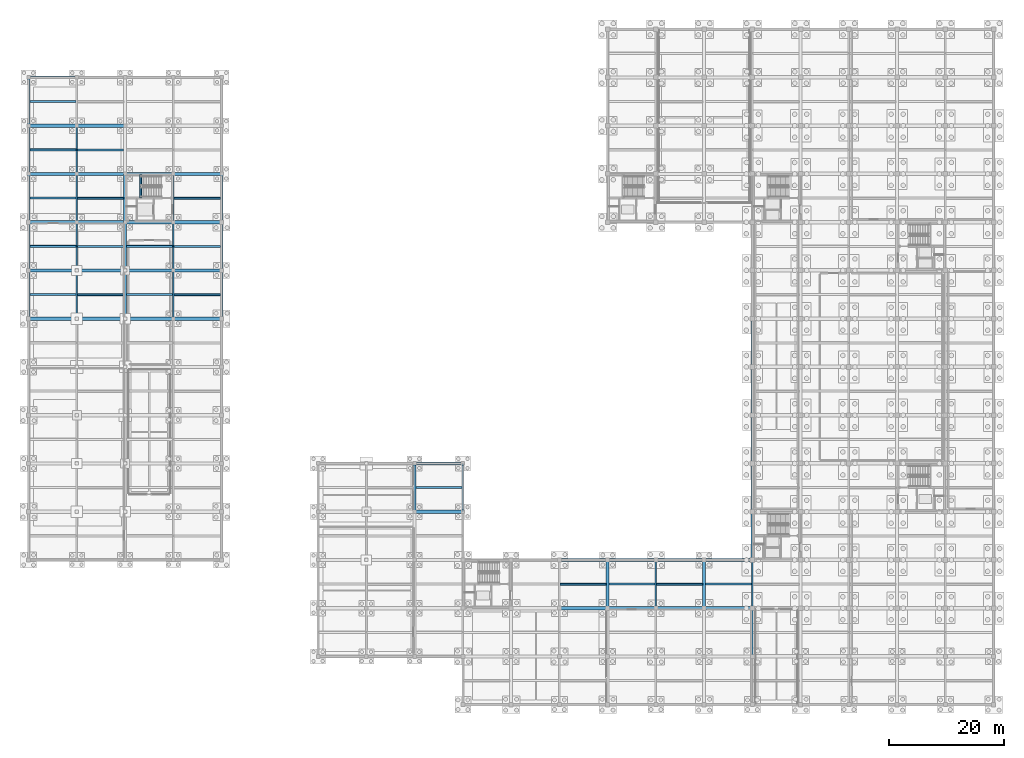
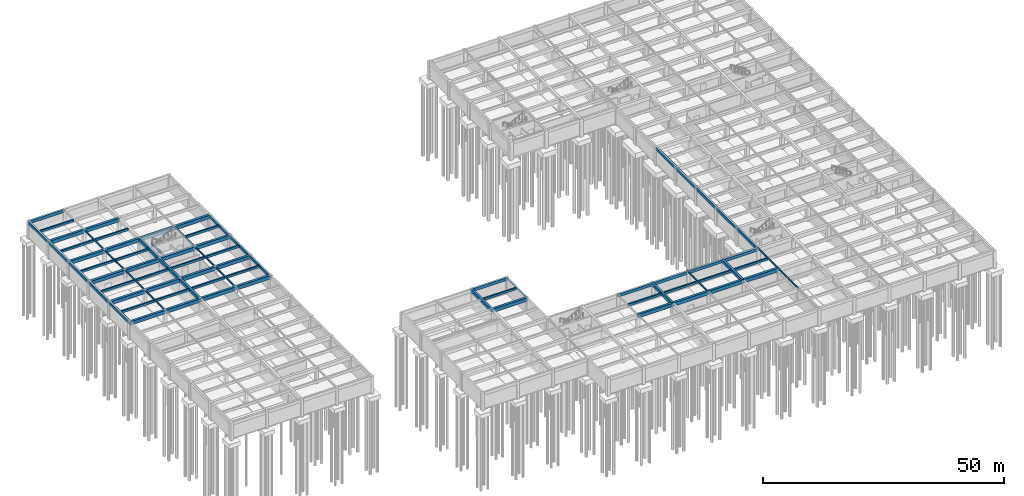
# One storey, part 10 of 33: 79 beams.
"""IFC4 building model written with IfcOpenShell, lengths in metres."""

from ifc_helpers import new_model, si_unit, direction, frame, origin, origin_2d, place, context, subcontext, project, spatial, rectangle, i_section, extrude, material, material_profile, profile_set, type_object, element, save


model = new_model("IFC4")

# Units and contexts
model_context = context("Model", 3, precision=1e-05, world=origin(), true_north=direction((0.0, 1.0)))
body_context = subcontext(model_context, "Body", "Model", "MODEL_VIEW")
ifc_project = project(units=[si_unit("LENGTHUNIT", "METRE"), si_unit("AREAUNIT", "SQUARE_METRE"), si_unit("VOLUMEUNIT", "CUBIC_METRE"), si_unit("PLANEANGLEUNIT", "RADIAN"), si_unit("MASSUNIT", "GRAM", prefix="KILO")], contexts=[model_context])

# Site, building, storey
site_placement = place(None, origin())
site = spatial("IfcSite", under=ifc_project, at=site_placement, CompositionType="ELEMENT")
building_placement = place(site_placement, origin())
building = spatial("IfcBuilding", under=site, at=building_placement, Name="Kveldsbrygga Polytechnic", CompositionType="ELEMENT")
storey_placement = place(building_placement, frame((0.0, 0.0, -4.419921875)))
storey = spatial("IfcBuildingStorey", under=building, at=storey_placement, Name="B1", CompositionType="ELEMENT", Elevation=-4.419921875)

# Beams
ifc_material_1 = material(Name="Concrete C35/45", Category="concrete")
ifc_material_profile_1 = material_profile(ifc_material_1, rectangle(XDim=0.449951171875, YDim=0.75, at=origin_2d()), Name="RC 450x750")
ifc_profile_set_1 = profile_set([ifc_material_profile_1], Name="Concrete C35/45")
beam_type_1 = type_object("IfcBeamType", Name="BM-RC-450x750", PredefinedType="BEAM", material=ifc_profile_set_1)
beam_1_placement = place(storey_placement, frame((92.39990234375, 25.199951171875, 3.724853515625), z_axis=(1.0, 0.0, 0.0), x_axis=(0.0, 1.0, 0.0)))
element("IfcBeam", 1, at=beam_1_placement, inside=storey, type_object=beam_type_1, Name="Primary Beam BMX-B1-11to12-03", PredefinedType="BEAM", context=body_context, shape_type="SweptSolid", body=[
    extrude(rectangle(XDim=0.449951171875, YDim=0.75, at=origin_2d()), origin(), (0.0, 0.0, 1.0), 8.400146484375),
])
beam_2_placement = place(storey_placement, frame((100.800048828125, 25.199951171875, 3.724853515625), z_axis=(1.0, 0.0, 0.0), x_axis=(0.0, 1.0, 0.0)))
element("IfcBeam", 2, at=beam_2_placement, inside=storey, type_object=beam_type_1, Name="Primary Beam BMX-B1-12to13-03", PredefinedType="BEAM", context=body_context, shape_type="SweptSolid", body=[
    extrude(rectangle(XDim=0.449951171875, YDim=0.75, at=origin_2d()), origin(), (0.0, 0.0, 1.0), 8.39990234375),
])
beam_3_placement = place(storey_placement, frame((109.199951171875, 25.199951171875, 3.724853515625), z_axis=(1.0, 0.0, 0.0), x_axis=(0.0, 1.0, 0.0)))
element("IfcBeam", 3, at=beam_3_placement, inside=storey, type_object=beam_type_1, Name="Primary Beam BMX-B1-13to14-03", PredefinedType="BEAM", context=body_context, shape_type="SweptSolid", body=[
    extrude(rectangle(XDim=0.449951171875, YDim=0.75, at=origin_2d()), origin(), (0.0, 0.0, 1.0), 8.400146484375),
])
beam_4_placement = place(storey_placement, frame((117.60009765625, 25.199951171875, 3.724853515625), z_axis=(1.0, 0.0, 0.0), x_axis=(0.0, 1.0, 0.0)))
element("IfcBeam", 4, at=beam_4_placement, inside=storey, type_object=beam_type_1, Name="Primary Beam BMX-B1-14to15-03", PredefinedType="BEAM", context=body_context, shape_type="SweptSolid", body=[
    extrude(rectangle(XDim=0.449951171875, YDim=0.75, at=origin_2d()), origin(), (0.0, 0.0, 1.0), 8.39990234375),
])
beam_5_placement = place(storey_placement, frame((67.199951171875, 42.0, 3.724853515625), z_axis=(1.0, 0.0, 0.0), x_axis=(0.0, 1.0, 0.0)))
element("IfcBeam", 5, at=beam_5_placement, inside=storey, type_object=beam_type_1, Name="Primary Beam BMX-B1-08to09-05", PredefinedType="BEAM", context=body_context, shape_type="SweptSolid", body=[
    extrude(rectangle(XDim=0.449951171875, YDim=0.75, at=origin_2d()), origin(), (0.0, 0.0, 1.0), 8.400146484375),
])
beam_6_placement = place(storey_placement, frame((0.0, 109.199951171875, 3.704833984375), z_axis=(1.0, 0.0, 0.0), x_axis=(0.0, 1.0, 0.0)))
element("IfcBeam", 6, at=beam_6_placement, inside=storey, type_object=beam_type_1, Name="Primary Beam BMX-B1-00to01-13", PredefinedType="BEAM", context=body_context, shape_type="SweptSolid", body=[
    extrude(rectangle(XDim=0.449951171875, YDim=0.75, at=origin_2d()), origin(), (0.0, 0.0, 1.0), 8.39990234375),
])
beam_7_placement = place(storey_placement, frame((0.0, 67.199951171875, 3.704833984375), z_axis=(0.0, 1.0, 0.0), x_axis=(-1.0, 0.0, 0.0)))
element("IfcBeam", 7, at=beam_7_placement, inside=storey, type_object=beam_type_1, Name="Primary Beam BMY-B1-00-08to09", PredefinedType="BEAM", context=body_context, shape_type="SweptSolid", body=[
    extrude(rectangle(XDim=0.449951171875, YDim=0.75, at=origin_2d()), origin(), (0.0, 0.0, 1.0), 8.400146484375),
])
for number, where, z_axis, x_axis, name in (
    (8, (0.0, 75.60009765625, 3.704833984375), (0.0, 1.0, 0.0), (-1.0, 0.0, 0.0), "Primary Beam BMY-B1-00-09to10"),
    (9, (0.0, 84.0, 3.704833984375), (0.0, 1.0, 0.0), (-1.0, 0.0, 0.0), "Primary Beam BMY-B1-00-10to11"),
):
    element("IfcBeam", number, at=place(storey_placement, frame(where, z_axis=z_axis, x_axis=x_axis)), inside=storey, type_object=beam_type_1, Name=name, PredefinedType="BEAM", context=body_context, shape_type="SweptSolid", body=[
        extrude(rectangle(XDim=0.449951171875, YDim=0.75, at=origin_2d()), origin(), (0.0, 0.0, 1.0), 8.39990234375),
    ])
beam_8_placement = place(storey_placement, frame((0.0, 92.39990234375, 3.704833984375), z_axis=(0.0, 1.0, 0.0), x_axis=(-1.0, 0.0, 0.0)))
element("IfcBeam", 10, at=beam_8_placement, inside=storey, type_object=beam_type_1, Name="Primary Beam BMY-B1-00-11to12", PredefinedType="BEAM", context=body_context, shape_type="SweptSolid", body=[
    extrude(rectangle(XDim=0.449951171875, YDim=0.75, at=origin_2d()), origin(), (0.0, 0.0, 1.0), 8.400146484375),
])
beam_9_placement = place(storey_placement, frame((0.0, 100.800048828125, 3.704833984375), z_axis=(0.0, 1.0, 0.0), x_axis=(-1.0, 0.0, 0.0)))
element("IfcBeam", 11, at=beam_9_placement, inside=storey, type_object=beam_type_1, Name="Primary Beam BMY-B1-00-12to13", PredefinedType="BEAM", context=body_context, shape_type="SweptSolid", body=[
    extrude(rectangle(XDim=0.449951171875, YDim=0.75, at=origin_2d()), origin(), (0.0, 0.0, 1.0), 8.39990234375),
])
beam_10_placement = place(storey_placement, frame((33.60009765625, 67.199951171875, 3.704833984375), z_axis=(0.0, 1.0, 0.0), x_axis=(-1.0, 0.0, 0.0)))
element("IfcBeam", 12, at=beam_10_placement, inside=storey, type_object=beam_type_1, Name="Primary Beam BMY-B1-04-08to09", PredefinedType="BEAM", context=body_context, shape_type="SweptSolid", body=[
    extrude(rectangle(XDim=0.449951171875, YDim=0.75, at=origin_2d()), origin(), (0.0, 0.0, 1.0), 8.400146484375),
])
for number, where, z_axis, x_axis, name in (
    (13, (33.60009765625, 75.60009765625, 3.704833984375), (0.0, 1.0, 0.0), (-1.0, 0.0, 0.0), "Primary Beam BMY-B1-04-09to10"),
    (14, (33.60009765625, 84.0, 3.704833984375), (0.0, 1.0, 0.0), (-1.0, 0.0, 0.0), "Primary Beam BMY-B1-04-10to11"),
):
    element("IfcBeam", number, at=place(storey_placement, frame(where, z_axis=z_axis, x_axis=x_axis)), inside=storey, type_object=beam_type_1, Name=name, PredefinedType="BEAM", context=body_context, shape_type="SweptSolid", body=[
        extrude(rectangle(XDim=0.449951171875, YDim=0.75, at=origin_2d()), origin(), (0.0, 0.0, 1.0), 8.39990234375),
    ])
beam_11_placement = place(storey_placement, frame((126.0, 25.199951171875, 3.724853515625), z_axis=(0.0, 1.0, 0.0), x_axis=(-1.0, 0.0, 0.0)))
element("IfcBeam", 15, at=beam_11_placement, inside=storey, type_object=beam_type_1, Name="Primary Beam BMY-B1-15-03to04", PredefinedType="BEAM", context=body_context, shape_type="SweptSolid", body=[
    extrude(rectangle(XDim=0.449951171875, YDim=0.75, at=origin_2d()), origin(), (0.0, 0.0, 1.0), 8.400146484375),
])
for number, where, z_axis, x_axis, name in (
    (16, (126.0, 33.60009765625, 3.724853515625), (0.0, 1.0, 0.0), (-1.0, 0.0, 0.0), "Primary Beam BMY-B1-15-04to05"),
    (17, (126.0, 42.0, 3.724853515625), (0.0, 1.0, 0.0), (-1.0, 0.0, 0.0), "Primary Beam BMY-B1-15-05to06"),
):
    element("IfcBeam", number, at=place(storey_placement, frame(where, z_axis=z_axis, x_axis=x_axis)), inside=storey, type_object=beam_type_1, Name=name, PredefinedType="BEAM", context=body_context, shape_type="SweptSolid", body=[
        extrude(rectangle(XDim=0.449951171875, YDim=0.75, at=origin_2d()), origin(), (0.0, 0.0, 1.0), 8.39990234375),
    ])
beam_12_placement = place(storey_placement, frame((126.0, 50.39990234375, 3.724853515625), z_axis=(0.0, 1.0, 0.0), x_axis=(-1.0, 0.0, 0.0)))
element("IfcBeam", 18, at=beam_12_placement, inside=storey, type_object=beam_type_1, Name="Primary Beam BMY-B1-15-06to07", PredefinedType="BEAM", context=body_context, shape_type="SweptSolid", body=[
    extrude(rectangle(XDim=0.449951171875, YDim=0.75, at=origin_2d()), origin(), (0.0, 0.0, 1.0), 8.400146484375),
])
beam_13_placement = place(storey_placement, frame((126.0, 58.800048828125, 3.724853515625), z_axis=(0.0, 1.0, 0.0), x_axis=(-1.0, 0.0, 0.0)))
element("IfcBeam", 19, at=beam_13_placement, inside=storey, type_object=beam_type_1, Name="Primary Beam BMY-B1-15-07to08", PredefinedType="BEAM", context=body_context, shape_type="SweptSolid", body=[
    extrude(rectangle(XDim=0.449951171875, YDim=0.75, at=origin_2d()), origin(), (0.0, 0.0, 1.0), 8.39990234375),
])
ifc_material_profile_2 = material_profile(ifc_material_1, rectangle(XDim=0.5, YDim=0.800048828125, at=origin_2d()), Name="RC 500x800")
ifc_profile_set_2 = profile_set([ifc_material_profile_2], Name="Concrete C35/45")
beam_type_2 = type_object("IfcBeamType", Name="BM-RC-500x800", PredefinedType="BEAM", material=ifc_profile_set_2)
beam_14_placement = place(storey_placement, frame((16.800048828125, 67.199951171875, 3.679931640625), z_axis=(0.0, 1.0, 0.0), x_axis=(-1.0, 0.0, 0.0)))
element("IfcBeam", 20, at=beam_14_placement, inside=storey, type_object=beam_type_2, Name="Primary Beam BMY-B1-02-08to09", PredefinedType="BEAM", context=body_context, shape_type="SweptSolid", body=[
    extrude(rectangle(XDim=0.5, YDim=0.800048828125, at=origin_2d()), origin(), (0.0, 0.0, 1.0), 8.400146484375),
])
for number, where, z_axis, x_axis, name in (
    (21, (16.800048828125, 75.60009765625, 3.679931640625), (0.0, 1.0, 0.0), (-1.0, 0.0, 0.0), "Primary Beam BMY-B1-02-09to10"),
    (22, (16.800048828125, 84.0, 3.679931640625), (0.0, 1.0, 0.0), (-1.0, 0.0, 0.0), "Primary Beam BMY-B1-02-10to11"),
    (23, (67.199951171875, 33.60009765625, 3.699951171875), (0.0, 1.0, 0.0), (-1.0, 0.0, 0.0), "Primary Beam BMY-B1-08-04to05"),
    (24, (100.800048828125, 16.800048828125, 3.719970703125), (0.0, 1.0, 0.0), (-1.0, 0.0, 0.0), "Primary Beam BMY-B1-12-02to03"),
    (25, (117.60009765625, 16.800048828125, 3.719970703125), (0.0, 1.0, 0.0), (-1.0, 0.0, 0.0), "Primary Beam BMY-B1-14-02to03"),
):
    element("IfcBeam", number, at=place(storey_placement, frame(where, z_axis=z_axis, x_axis=x_axis)), inside=storey, type_object=beam_type_2, Name=name, PredefinedType="BEAM", context=body_context, shape_type="SweptSolid", body=[
        extrude(rectangle(XDim=0.5, YDim=0.800048828125, at=origin_2d()), origin(), (0.0, 0.0, 1.0), 8.39990234375),
    ])
ifc_material_2 = material(Name="Concrete C45/55", Category="concrete")
ifc_material_profile_3 = material_profile(ifc_material_2, rectangle(XDim=0.550048828125, YDim=0.8798828125, at=origin_2d()), Name="RC 550x880")
ifc_profile_set_3 = profile_set([ifc_material_profile_3], Name="Concrete C45/55")
beam_type_3 = type_object("IfcBeamType", Name="BM-RC-550x880", PredefinedType="BEAM", material=ifc_profile_set_3)
beam_15_placement = place(storey_placement, frame((92.39990234375, 16.800048828125, 3.679931640625), z_axis=(1.0, 0.0, 0.0), x_axis=(0.0, 1.0, 0.0)))
element("IfcBeam", 26, at=beam_15_placement, inside=storey, type_object=beam_type_3, Name="Primary Beam BMX-B1-11to12-02", PredefinedType="BEAM", context=body_context, shape_type="SweptSolid", body=[
    extrude(rectangle(XDim=0.550048828125, YDim=0.8798828125, at=origin_2d()), origin(), (0.0, 0.0, 1.0), 8.400146484375),
])
beam_16_placement = place(storey_placement, frame((100.800048828125, 16.800048828125, 3.679931640625), z_axis=(1.0, 0.0, 0.0), x_axis=(0.0, 1.0, 0.0)))
element("IfcBeam", 27, at=beam_16_placement, inside=storey, type_object=beam_type_3, Name="Primary Beam BMX-B1-12to13-02", PredefinedType="BEAM", context=body_context, shape_type="SweptSolid", body=[
    extrude(rectangle(XDim=0.550048828125, YDim=0.8798828125, at=origin_2d()), origin(), (0.0, 0.0, 1.0), 8.39990234375),
])
beam_17_placement = place(storey_placement, frame((109.199951171875, 16.800048828125, 3.679931640625), z_axis=(1.0, 0.0, 0.0), x_axis=(0.0, 1.0, 0.0)))
element("IfcBeam", 28, at=beam_17_placement, inside=storey, type_object=beam_type_3, Name="Primary Beam BMX-B1-13to14-02", PredefinedType="BEAM", context=body_context, shape_type="SweptSolid", body=[
    extrude(rectangle(XDim=0.550048828125, YDim=0.8798828125, at=origin_2d()), origin(), (0.0, 0.0, 1.0), 8.400146484375),
])
beam_18_placement = place(storey_placement, frame((117.60009765625, 16.800048828125, 3.679931640625), z_axis=(1.0, 0.0, 0.0), x_axis=(0.0, 1.0, 0.0)))
element("IfcBeam", 29, at=beam_18_placement, inside=storey, type_object=beam_type_3, Name="Primary Beam BMX-B1-14to15-02", PredefinedType="BEAM", context=body_context, shape_type="SweptSolid", body=[
    extrude(rectangle(XDim=0.550048828125, YDim=0.8798828125, at=origin_2d()), origin(), (0.0, 0.0, 1.0), 8.39990234375),
])
beam_19_placement = place(storey_placement, frame((67.199951171875, 33.60009765625, 3.659912109375), z_axis=(1.0, 0.0, 0.0), x_axis=(0.0, 1.0, 0.0)))
element("IfcBeam", 30, at=beam_19_placement, inside=storey, type_object=beam_type_3, Name="Primary Beam BMX-B1-08to09-04", PredefinedType="BEAM", context=body_context, shape_type="SweptSolid", body=[
    extrude(rectangle(XDim=0.550048828125, YDim=0.8798828125, at=origin_2d()), origin(), (0.0, 0.0, 1.0), 8.400146484375),
])
beam_20_placement = place(storey_placement, frame((0.0, 67.199951171875, 3.639892578125), z_axis=(1.0, 0.0, 0.0), x_axis=(0.0, 1.0, 0.0)))
element("IfcBeam", 31, at=beam_20_placement, inside=storey, type_object=beam_type_3, Name="Primary Beam BMX-B1-00to01-08", PredefinedType="BEAM", context=body_context, shape_type="SweptSolid", body=[
    extrude(rectangle(XDim=0.550048828125, YDim=0.8798828125, at=origin_2d()), origin(), (0.0, 0.0, 1.0), 8.39990234375),
])
beam_21_placement = place(storey_placement, frame((8.39990234375, 67.199951171875, 3.639892578125), z_axis=(1.0, 0.0, 0.0), x_axis=(0.0, 1.0, 0.0)))
element("IfcBeam", 32, at=beam_21_placement, inside=storey, type_object=beam_type_3, Name="Primary Beam BMX-B1-01to02-08", PredefinedType="BEAM", context=body_context, shape_type="SweptSolid", body=[
    extrude(rectangle(XDim=0.550048828125, YDim=0.8798828125, at=origin_2d()), origin(), (0.0, 0.0, 1.0), 8.400146484375),
])
beam_22_placement = place(storey_placement, frame((16.800048828125, 67.199951171875, 3.639892578125), z_axis=(1.0, 0.0, 0.0), x_axis=(0.0, 1.0, 0.0)))
element("IfcBeam", 33, at=beam_22_placement, inside=storey, type_object=beam_type_3, Name="Primary Beam BMX-B1-02to03-08", PredefinedType="BEAM", context=body_context, shape_type="SweptSolid", body=[
    extrude(rectangle(XDim=0.550048828125, YDim=0.8798828125, at=origin_2d()), origin(), (0.0, 0.0, 1.0), 8.39990234375),
])
beam_23_placement = place(storey_placement, frame((25.199951171875, 67.199951171875, 3.639892578125), z_axis=(1.0, 0.0, 0.0), x_axis=(0.0, 1.0, 0.0)))
element("IfcBeam", 34, at=beam_23_placement, inside=storey, type_object=beam_type_3, Name="Primary Beam BMX-B1-03to04-08", PredefinedType="BEAM", context=body_context, shape_type="SweptSolid", body=[
    extrude(rectangle(XDim=0.550048828125, YDim=0.8798828125, at=origin_2d()), origin(), (0.0, 0.0, 1.0), 8.400146484375),
])
beam_24_placement = place(storey_placement, frame((0.0, 75.60009765625, 3.639892578125), z_axis=(1.0, 0.0, 0.0), x_axis=(0.0, 1.0, 0.0)))
element("IfcBeam", 35, at=beam_24_placement, inside=storey, type_object=beam_type_3, Name="Primary Beam BMX-B1-00to01-09", PredefinedType="BEAM", context=body_context, shape_type="SweptSolid", body=[
    extrude(rectangle(XDim=0.550048828125, YDim=0.8798828125, at=origin_2d()), origin(), (0.0, 0.0, 1.0), 8.39990234375),
])
beam_25_placement = place(storey_placement, frame((8.39990234375, 75.60009765625, 3.639892578125), z_axis=(1.0, 0.0, 0.0), x_axis=(0.0, 1.0, 0.0)))
element("IfcBeam", 36, at=beam_25_placement, inside=storey, type_object=beam_type_3, Name="Primary Beam BMX-B1-01to02-09", PredefinedType="BEAM", context=body_context, shape_type="SweptSolid", body=[
    extrude(rectangle(XDim=0.550048828125, YDim=0.8798828125, at=origin_2d()), origin(), (0.0, 0.0, 1.0), 8.400146484375),
])
beam_26_placement = place(storey_placement, frame((16.800048828125, 75.60009765625, 3.639892578125), z_axis=(1.0, 0.0, 0.0), x_axis=(0.0, 1.0, 0.0)))
element("IfcBeam", 37, at=beam_26_placement, inside=storey, type_object=beam_type_3, Name="Primary Beam BMX-B1-02to03-09", PredefinedType="BEAM", context=body_context, shape_type="SweptSolid", body=[
    extrude(rectangle(XDim=0.550048828125, YDim=0.8798828125, at=origin_2d()), origin(), (0.0, 0.0, 1.0), 8.39990234375),
])
beam_27_placement = place(storey_placement, frame((25.199951171875, 75.60009765625, 3.639892578125), z_axis=(1.0, 0.0, 0.0), x_axis=(0.0, 1.0, 0.0)))
element("IfcBeam", 38, at=beam_27_placement, inside=storey, type_object=beam_type_3, Name="Primary Beam BMX-B1-03to04-09", PredefinedType="BEAM", context=body_context, shape_type="SweptSolid", body=[
    extrude(rectangle(XDim=0.550048828125, YDim=0.8798828125, at=origin_2d()), origin(), (0.0, 0.0, 1.0), 8.400146484375),
])
beam_28_placement = place(storey_placement, frame((0.0, 84.0, 3.639892578125), z_axis=(1.0, 0.0, 0.0), x_axis=(0.0, 1.0, 0.0)))
element("IfcBeam", 39, at=beam_28_placement, inside=storey, type_object=beam_type_3, Name="Primary Beam BMX-B1-00to01-10", PredefinedType="BEAM", context=body_context, shape_type="SweptSolid", body=[
    extrude(rectangle(XDim=0.550048828125, YDim=0.8798828125, at=origin_2d()), origin(), (0.0, 0.0, 1.0), 8.39990234375),
])
beam_29_placement = place(storey_placement, frame((8.39990234375, 84.0, 3.639892578125), z_axis=(1.0, 0.0, 0.0), x_axis=(0.0, 1.0, 0.0)))
element("IfcBeam", 40, at=beam_29_placement, inside=storey, type_object=beam_type_3, Name="Primary Beam BMX-B1-01to02-10", PredefinedType="BEAM", context=body_context, shape_type="SweptSolid", body=[
    extrude(rectangle(XDim=0.550048828125, YDim=0.8798828125, at=origin_2d()), origin(), (0.0, 0.0, 1.0), 8.400146484375),
])
beam_30_placement = place(storey_placement, frame((16.800048828125, 84.0, 3.639892578125), z_axis=(1.0, 0.0, 0.0), x_axis=(0.0, 1.0, 0.0)))
element("IfcBeam", 41, at=beam_30_placement, inside=storey, type_object=beam_type_3, Name="Primary Beam BMX-B1-02to03-10", PredefinedType="BEAM", context=body_context, shape_type="SweptSolid", body=[
    extrude(rectangle(XDim=0.550048828125, YDim=0.8798828125, at=origin_2d()), origin(), (0.0, 0.0, 1.0), 8.39990234375),
])
beam_31_placement = place(storey_placement, frame((25.199951171875, 84.0, 3.639892578125), z_axis=(1.0, 0.0, 0.0), x_axis=(0.0, 1.0, 0.0)))
element("IfcBeam", 42, at=beam_31_placement, inside=storey, type_object=beam_type_3, Name="Primary Beam BMX-B1-03to04-10", PredefinedType="BEAM", context=body_context, shape_type="SweptSolid", body=[
    extrude(rectangle(XDim=0.550048828125, YDim=0.8798828125, at=origin_2d()), origin(), (0.0, 0.0, 1.0), 8.400146484375),
])
beam_32_placement = place(storey_placement, frame((0.0, 92.39990234375, 3.639892578125), z_axis=(1.0, 0.0, 0.0), x_axis=(0.0, 1.0, 0.0)))
element("IfcBeam", 43, at=beam_32_placement, inside=storey, type_object=beam_type_3, Name="Primary Beam BMX-B1-00to01-11", PredefinedType="BEAM", context=body_context, shape_type="SweptSolid", body=[
    extrude(rectangle(XDim=0.550048828125, YDim=0.8798828125, at=origin_2d()), origin(), (0.0, 0.0, 1.0), 8.39990234375),
])
beam_33_placement = place(storey_placement, frame((8.39990234375, 92.39990234375, 3.639892578125), z_axis=(1.0, 0.0, 0.0), x_axis=(0.0, 1.0, 0.0)))
element("IfcBeam", 44, at=beam_33_placement, inside=storey, type_object=beam_type_3, Name="Primary Beam BMX-B1-01to02-11", PredefinedType="BEAM", context=body_context, shape_type="SweptSolid", body=[
    extrude(rectangle(XDim=0.550048828125, YDim=0.8798828125, at=origin_2d()), origin(), (0.0, 0.0, 1.0), 8.400146484375),
])
beam_34_placement = place(storey_placement, frame((16.800048828125, 92.39990234375, 3.639892578125), z_axis=(1.0, 0.0, 0.0), x_axis=(0.0, 1.0, 0.0)))
element("IfcBeam", 45, at=beam_34_placement, inside=storey, type_object=beam_type_3, Name="Primary Beam BMX-B1-02to03-11", PredefinedType="BEAM", context=body_context, shape_type="SweptSolid", body=[
    extrude(rectangle(XDim=0.550048828125, YDim=0.8798828125, at=origin_2d()), origin(), (0.0, 0.0, 1.0), 8.39990234375),
])
beam_35_placement = place(storey_placement, frame((25.199951171875, 92.39990234375, 3.639892578125), z_axis=(1.0, 0.0, 0.0), x_axis=(0.0, 1.0, 0.0)))
element("IfcBeam", 46, at=beam_35_placement, inside=storey, type_object=beam_type_3, Name="Primary Beam BMX-B1-03to04-11", PredefinedType="BEAM", context=body_context, shape_type="SweptSolid", body=[
    extrude(rectangle(XDim=0.550048828125, YDim=0.8798828125, at=origin_2d()), origin(), (0.0, 0.0, 1.0), 8.400146484375),
])
beam_36_placement = place(storey_placement, frame((0.0, 100.800048828125, 3.639892578125), z_axis=(1.0, 0.0, 0.0), x_axis=(0.0, 1.0, 0.0)))
element("IfcBeam", 47, at=beam_36_placement, inside=storey, type_object=beam_type_3, Name="Primary Beam BMX-B1-00to01-12", PredefinedType="BEAM", context=body_context, shape_type="SweptSolid", body=[
    extrude(rectangle(XDim=0.550048828125, YDim=0.8798828125, at=origin_2d()), origin(), (0.0, 0.0, 1.0), 8.39990234375),
])
beam_37_placement = place(storey_placement, frame((8.39990234375, 100.800048828125, 3.639892578125), z_axis=(1.0, 0.0, 0.0), x_axis=(0.0, 1.0, 0.0)))
element("IfcBeam", 48, at=beam_37_placement, inside=storey, type_object=beam_type_3, Name="Primary Beam BMX-B1-01to02-12", PredefinedType="BEAM", context=body_context, shape_type="SweptSolid", body=[
    extrude(rectangle(XDim=0.550048828125, YDim=0.8798828125, at=origin_2d()), origin(), (0.0, 0.0, 1.0), 8.400146484375),
])
ifc_material_3 = material(Name="Steel S355", Category="steel")
ifc_material_profile_4 = material_profile(ifc_material_3, i_section(OverallWidth=0.300048828125, OverallDepth=0.31005859375, WebThickness=0.009033203125, FlangeThickness=0.015380859375, FilletRadius=0.027099609375, at=origin_2d()), Name="HEA 320")
ifc_profile_set_4 = profile_set([ifc_material_profile_4], Name="Steel S355")
beam_type_4 = type_object("IfcBeamType", Name="BM-STL-HEA320", PredefinedType="BEAM", material=ifc_profile_set_4)
beam_38_placement = place(storey_placement, frame((75.60009765625, 33.60009765625, 3.94482421875), z_axis=(0.0, 1.0, 0.0), x_axis=(-1.0, 0.0, 0.0)))
element("IfcBeam", 49, at=beam_38_placement, inside=storey, type_object=beam_type_4, Name="Primary Beam BMY-B1-09-04to05", PredefinedType="BEAM", context=body_context, shape_type="SweptSolid", body=[
    extrude(i_section(OverallWidth=0.300048828125, OverallDepth=0.31005859375, WebThickness=0.009033203125, FlangeThickness=0.015380859375, FilletRadius=0.027099609375, at=origin_2d()), origin(), (0.0, 0.0, 1.0), 8.39990234375),
])
ifc_material_profile_5 = material_profile(ifc_material_3, i_section(OverallWidth=0.260009765625, OverallDepth=0.260009765625, WebThickness=0.010009765625, FlangeThickness=0.017578125, FilletRadius=0.02392578125, at=origin_2d()), Name="HEB 260")
ifc_profile_set_5 = profile_set([ifc_material_profile_5], Name="Steel S355")
beam_type_5 = type_object("IfcBeamType", Name="BM-STL-HEB260", PredefinedType="BEAM", material=ifc_profile_set_5)
beam_39_placement = place(storey_placement, frame((8.39990234375, 67.199951171875, 3.949951171875), z_axis=(0.0, 1.0, 0.0), x_axis=(-1.0, 0.0, 0.0)))
element("IfcBeam", 50, at=beam_39_placement, inside=storey, type_object=beam_type_5, Name="Primary Beam BMY-B1-01-08to09", PredefinedType="BEAM", context=body_context, shape_type="SweptSolid", body=[
    extrude(i_section(OverallWidth=0.260009765625, OverallDepth=0.260009765625, WebThickness=0.010009765625, FlangeThickness=0.017578125, FilletRadius=0.02392578125, at=origin_2d()), origin(), (0.0, 0.0, 1.0), 8.400146484375),
])
for number, where, z_axis, x_axis, name in (
    (51, (8.39990234375, 75.60009765625, 3.949951171875), (0.0, 1.0, 0.0), (-1.0, 0.0, 0.0), "Primary Beam BMY-B1-01-09to10"),
    (52, (8.39990234375, 84.0, 3.949951171875), (0.0, 1.0, 0.0), (-1.0, 0.0, 0.0), "Primary Beam BMY-B1-01-10to11"),
):
    element("IfcBeam", number, at=place(storey_placement, frame(where, z_axis=z_axis, x_axis=x_axis)), inside=storey, type_object=beam_type_5, Name=name, PredefinedType="BEAM", context=body_context, shape_type="SweptSolid", body=[
        extrude(i_section(OverallWidth=0.260009765625, OverallDepth=0.260009765625, WebThickness=0.010009765625, FlangeThickness=0.017578125, FilletRadius=0.02392578125, at=origin_2d()), origin(), (0.0, 0.0, 1.0), 8.39990234375),
    ])
for number, where, z_axis, x_axis, name in (
    (53, (8.39990234375, 92.39990234375, 3.949951171875), (0.0, 1.0, 0.0), (-1.0, 0.0, 0.0), "Primary Beam BMY-B1-01-11to12"),
    (54, (25.199951171875, 67.199951171875, 3.949951171875), (0.0, 1.0, 0.0), (-1.0, 0.0, 0.0), "Primary Beam BMY-B1-03-08to09"),
):
    element("IfcBeam", number, at=place(storey_placement, frame(where, z_axis=z_axis, x_axis=x_axis)), inside=storey, type_object=beam_type_5, Name=name, PredefinedType="BEAM", context=body_context, shape_type="SweptSolid", body=[
        extrude(i_section(OverallWidth=0.260009765625, OverallDepth=0.260009765625, WebThickness=0.010009765625, FlangeThickness=0.017578125, FilletRadius=0.02392578125, at=origin_2d()), origin(), (0.0, 0.0, 1.0), 8.400146484375),
    ])
for number, where, z_axis, x_axis, name in (
    (55, (25.199951171875, 75.60009765625, 3.949951171875), (0.0, 1.0, 0.0), (-1.0, 0.0, 0.0), "Primary Beam BMY-B1-03-09to10"),
    (56, (25.199951171875, 84.0, 3.949951171875), (0.0, 1.0, 0.0), (-1.0, 0.0, 0.0), "Primary Beam BMY-B1-03-10to11"),
    (57, (109.199951171875, 16.800048828125, 3.989990234375), (0.0, 1.0, 0.0), (-1.0, 0.0, 0.0), "Primary Beam BMY-B1-13-02to03"),
):
    element("IfcBeam", number, at=place(storey_placement, frame(where, z_axis=z_axis, x_axis=x_axis)), inside=storey, type_object=beam_type_5, Name=name, PredefinedType="BEAM", context=body_context, shape_type="SweptSolid", body=[
        extrude(i_section(OverallWidth=0.260009765625, OverallDepth=0.260009765625, WebThickness=0.010009765625, FlangeThickness=0.017578125, FilletRadius=0.02392578125, at=origin_2d()), origin(), (0.0, 0.0, 1.0), 8.39990234375),
    ])
beam_40_placement = place(storey_placement, frame((126.0, 8.39990234375, 3.989990234375), z_axis=(0.0, 1.0, 0.0), x_axis=(-1.0, 0.0, 0.0)))
element("IfcBeam", 58, at=beam_40_placement, inside=storey, type_object=beam_type_5, Name="Primary Beam BMY-B1-15-01to02", PredefinedType="BEAM", context=body_context, shape_type="SweptSolid", body=[
    extrude(i_section(OverallWidth=0.260009765625, OverallDepth=0.260009765625, WebThickness=0.010009765625, FlangeThickness=0.017578125, FilletRadius=0.02392578125, at=origin_2d()), origin(), (0.0, 0.0, 1.0), 8.400146484375),
])
beam_41_placement = place(storey_placement, frame((126.0, 16.800048828125, 3.989990234375), z_axis=(0.0, 1.0, 0.0), x_axis=(-1.0, 0.0, 0.0)))
element("IfcBeam", 59, at=beam_41_placement, inside=storey, type_object=beam_type_5, Name="Primary Beam BMY-B1-15-02to03", PredefinedType="BEAM", context=body_context, shape_type="SweptSolid", body=[
    extrude(i_section(OverallWidth=0.260009765625, OverallDepth=0.260009765625, WebThickness=0.010009765625, FlangeThickness=0.017578125, FilletRadius=0.02392578125, at=origin_2d()), origin(), (0.0, 0.0, 1.0), 8.39990234375),
])
ifc_material_profile_6 = material_profile(ifc_material_1, rectangle(XDim=0.340087890625, YDim=0.56005859375, at=origin_2d()), Name="RC 340x560")
ifc_profile_set_6 = profile_set([ifc_material_profile_6], Name="Concrete C35/45")
beam_type_6 = type_object("IfcBeamType", Name="JST-RC-340x560", PredefinedType="JOIST", material=ifc_profile_set_6)
for number, where, z_axis, x_axis, name in (
    (60, (0.22509765625, 79.800048828125, 3.7998046875), (1.0, 0.0, 0.0), (0.0, 1.0, 0.0), "Secondary Joist JST-B1-00-09"),
    (61, (0.22509765625, 96.60009765625, 3.7998046875), (1.0, 0.0, 0.0), (0.0, 1.0, 0.0), "Secondary Joist JST-B1-00-11"),
):
    element("IfcBeam", number, at=place(storey_placement, frame(where, z_axis=z_axis, x_axis=x_axis)), inside=storey, type_object=beam_type_6, Name=name, PredefinedType="JOIST", context=body_context, shape_type="SweptSolid", body=[
        extrude(rectangle(XDim=0.340087890625, YDim=0.56005859375, at=origin_2d()), origin(), (0.0, 0.0, 1.0), 8.044921875),
    ])
for number, where, z_axis, x_axis, name in (
    (62, (8.530029296875, 71.39990234375, 3.7998046875), (1.0, 0.0, 0.0), (0.0, 1.0, 0.0), "Secondary Joist JST-B1-01-08"),
    (63, (8.530029296875, 88.199951171875, 3.7998046875), (1.0, 0.0, 0.0), (0.0, 1.0, 0.0), "Secondary Joist JST-B1-01-10"),
    (64, (17.050048828125, 79.800048828125, 3.7998046875), (1.0, 0.0, 0.0), (0.0, 1.0, 0.0), "Secondary Joist JST-B1-02-09"),
):
    element("IfcBeam", number, at=place(storey_placement, frame(where, z_axis=z_axis, x_axis=x_axis)), inside=storey, type_object=beam_type_6, Name=name, PredefinedType="JOIST", context=body_context, shape_type="SweptSolid", body=[
        extrude(rectangle(XDim=0.340087890625, YDim=0.56005859375, at=origin_2d()), origin(), (0.0, 0.0, 1.0), 8.02001953125),
    ])
for number, where, z_axis, x_axis, name in (
    (65, (25.330078125, 71.39990234375, 3.7998046875), (1.0, 0.0, 0.0), (0.0, 1.0, 0.0), "Secondary Joist JST-B1-03-08"),
    (66, (25.330078125, 88.199951171875, 3.7998046875), (1.0, 0.0, 0.0), (0.0, 1.0, 0.0), "Secondary Joist JST-B1-03-10"),
):
    element("IfcBeam", number, at=place(storey_placement, frame(where, z_axis=z_axis, x_axis=x_axis)), inside=storey, type_object=beam_type_6, Name=name, PredefinedType="JOIST", context=body_context, shape_type="SweptSolid", body=[
        extrude(rectangle(XDim=0.340087890625, YDim=0.56005859375, at=origin_2d()), origin(), (0.0, 0.0, 1.0), 8.044921875),
    ])
for number, where, z_axis, x_axis, name in (
    (67, (92.530029296875, 21.0, 3.83984375), (1.0, 0.0, 0.0), (0.0, 1.0, 0.0), "Secondary Joist JST-B1-11-02"),
    (68, (109.330078125, 21.0, 3.83984375), (1.0, 0.0, 0.0), (0.0, 1.0, 0.0), "Secondary Joist JST-B1-13-02"),
):
    element("IfcBeam", number, at=place(storey_placement, frame(where, z_axis=z_axis, x_axis=x_axis)), inside=storey, type_object=beam_type_6, Name=name, PredefinedType="JOIST", context=body_context, shape_type="SweptSolid", body=[
        extrude(rectangle(XDim=0.340087890625, YDim=0.56005859375, at=origin_2d()), origin(), (0.0, 0.0, 1.0), 8.02001953125),
    ])
ifc_material_profile_7 = material_profile(ifc_material_1, rectangle(XDim=0.35009765625, YDim=0.550048828125, at=origin_2d()), Name="RC 350x550")
ifc_profile_set_7 = profile_set([ifc_material_profile_7], Name="Concrete C35/45")
beam_type_7 = type_object("IfcBeamType", Name="JST-RC-350x550", PredefinedType="JOIST", material=ifc_profile_set_7)
for number, where, z_axis, x_axis, name in (
    (69, (0.22509765625, 71.39990234375, 3.804931640625), (1.0, 0.0, 0.0), (0.0, 1.0, 0.0), "Secondary Joist JST-B1-00-08"),
    (70, (0.22509765625, 88.199951171875, 3.804931640625), (1.0, 0.0, 0.0), (0.0, 1.0, 0.0), "Secondary Joist JST-B1-00-10"),
    (71, (0.22509765625, 105.0, 3.804931640625), (1.0, 0.0, 0.0), (0.0, 1.0, 0.0), "Secondary Joist JST-B1-00-12"),
):
    element("IfcBeam", number, at=place(storey_placement, frame(where, z_axis=z_axis, x_axis=x_axis)), inside=storey, type_object=beam_type_7, Name=name, PredefinedType="JOIST", context=body_context, shape_type="SweptSolid", body=[
        extrude(rectangle(XDim=0.35009765625, YDim=0.550048828125, at=origin_2d()), origin(), (0.0, 0.0, 1.0), 8.044921875),
    ])
for number, where, z_axis, x_axis, name in (
    (72, (8.530029296875, 79.800048828125, 3.804931640625), (1.0, 0.0, 0.0), (0.0, 1.0, 0.0), "Secondary Joist JST-B1-01-09"),
    (73, (8.530029296875, 96.60009765625, 3.804931640625), (1.0, 0.0, 0.0), (0.0, 1.0, 0.0), "Secondary Joist JST-B1-01-11"),
    (74, (17.050048828125, 71.39990234375, 3.804931640625), (1.0, 0.0, 0.0), (0.0, 1.0, 0.0), "Secondary Joist JST-B1-02-08"),
):
    element("IfcBeam", number, at=place(storey_placement, frame(where, z_axis=z_axis, x_axis=x_axis)), inside=storey, type_object=beam_type_7, Name=name, PredefinedType="JOIST", context=body_context, shape_type="SweptSolid", body=[
        extrude(rectangle(XDim=0.35009765625, YDim=0.550048828125, at=origin_2d()), origin(), (0.0, 0.0, 1.0), 8.02001953125),
    ])
beam_42_placement = place(storey_placement, frame((25.330078125, 79.800048828125, 3.804931640625), z_axis=(1.0, 0.0, 0.0), x_axis=(0.0, 1.0, 0.0)))
element("IfcBeam", 75, at=beam_42_placement, inside=storey, type_object=beam_type_7, Name="Secondary Joist JST-B1-03-09", PredefinedType="JOIST", context=body_context, shape_type="SweptSolid", body=[
    extrude(rectangle(XDim=0.35009765625, YDim=0.550048828125, at=origin_2d()), origin(), (0.0, 0.0, 1.0), 8.044921875),
])
beam_43_placement = place(storey_placement, frame((67.449951171875, 37.800048828125, 3.824951171875), z_axis=(1.0, 0.0, 0.0), x_axis=(0.0, 1.0, 0.0)))
element("IfcBeam", 76, at=beam_43_placement, inside=storey, type_object=beam_type_7, Name="Secondary Joist JST-B1-08-04", PredefinedType="JOIST", context=body_context, shape_type="SweptSolid", body=[
    extrude(rectangle(XDim=0.35009765625, YDim=0.550048828125, at=origin_2d()), origin(), (0.0, 0.0, 1.0), 8.0),
])
for number, where, z_axis, x_axis, name in (
    (77, (101.050048828125, 21.0, 3.844970703125), (1.0, 0.0, 0.0), (0.0, 1.0, 0.0), "Secondary Joist JST-B1-12-02"),
    (78, (117.85009765625, 21.0, 3.844970703125), (1.0, 0.0, 0.0), (0.0, 1.0, 0.0), "Secondary Joist JST-B1-14-02"),
):
    element("IfcBeam", number, at=place(storey_placement, frame(where, z_axis=z_axis, x_axis=x_axis)), inside=storey, type_object=beam_type_7, Name=name, PredefinedType="JOIST", context=body_context, shape_type="SweptSolid", body=[
        extrude(rectangle(XDim=0.35009765625, YDim=0.550048828125, at=origin_2d()), origin(), (0.0, 0.0, 1.0), 8.02001953125),
    ])
ifc_material_profile_8 = material_profile(ifc_material_1, rectangle(XDim=0.300048828125, YDim=0.5, at=origin_2d()), Name="RC 300x500")
ifc_profile_set_8 = profile_set([ifc_material_profile_8], Name="Concrete C35/45")
beam_type_8 = type_object("IfcBeamType", Name="LNT-RC-300x500", PredefinedType="LINTEL", material=ifc_profile_set_8)
beam_44_placement = place(storey_placement, frame((19.52001953125, 88.22998046875, 1.760009765625), z_axis=(0.0, 1.0, 0.0), x_axis=(-1.0, 0.0, 0.0)))
element("IfcBeam", 79, at=beam_44_placement, inside=storey, type_object=beam_type_8, Name="Stair Landing Support Beam C8-B1-LNDB-1-1", PredefinedType="LINTEL", context=body_context, shape_type="SweptSolid", body=[
    extrude(rectangle(XDim=0.300048828125, YDim=0.5, at=origin_2d()), origin(), (0.0, 0.0, 1.0), 4.02001953125),
])

save(model, "model.ifc")
